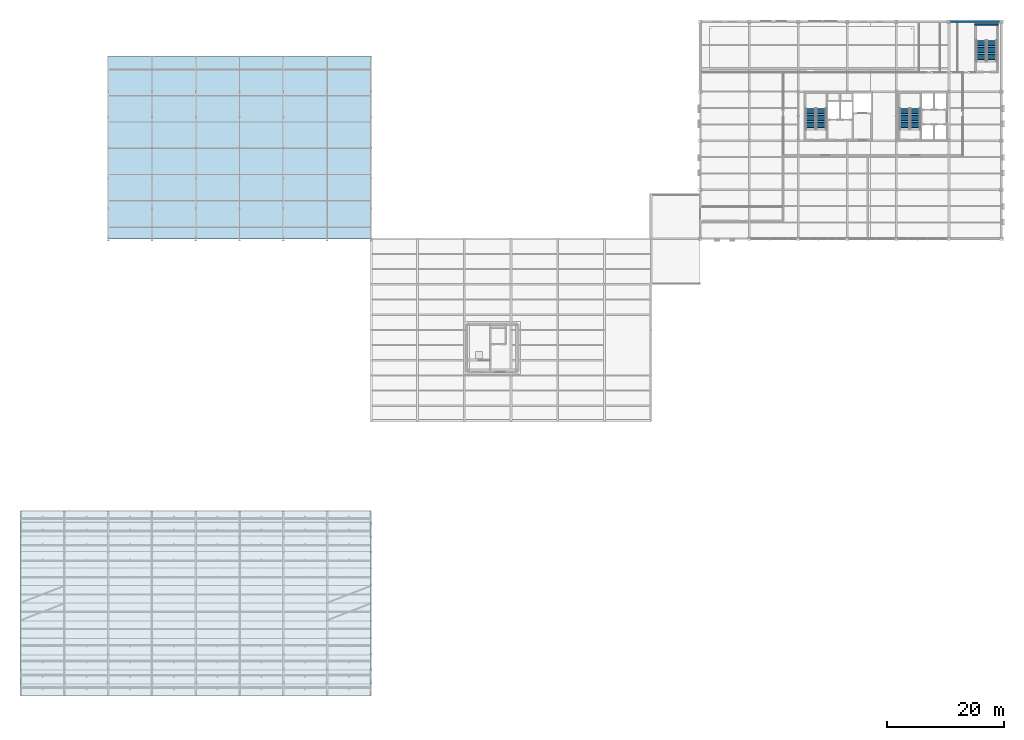
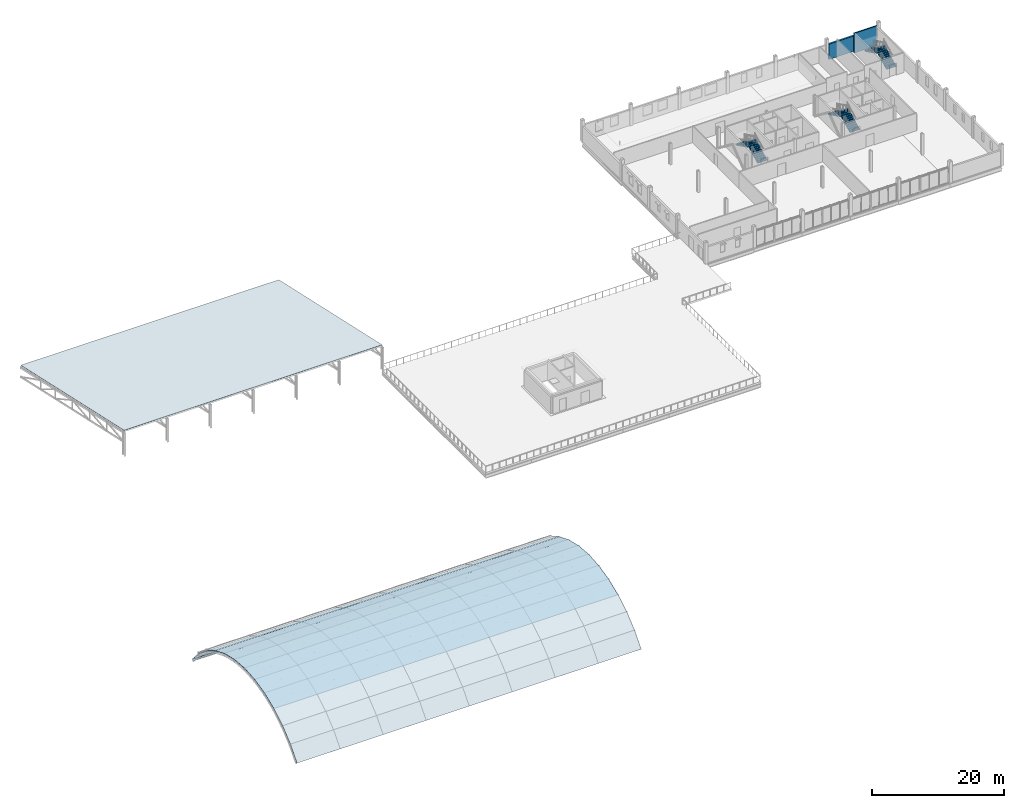
# One storey, part 65 of 77: 6 stair flights, 2 roofs, 2 walls, 3 elements without a shape of their own.
"""IFC4 building model written with IfcOpenShell, lengths in metres."""

from ifc_helpers import new_model, si_unit, direction, frame, frame_2d, origin, place, context, subcontext, project, spatial, polyline, rectangle, outline, extrude, material, layer, layer_set, type_object, element, aggregate, save


model = new_model("IFC4")

# Units and contexts
model_context = context("Model", 3, precision=1e-05, world=origin(), true_north=direction((0.0, 1.0)))
body_context = subcontext(model_context, "Body", "Model", "MODEL_VIEW")
ifc_project = project(units=[si_unit("LENGTHUNIT", "METRE"), si_unit("AREAUNIT", "SQUARE_METRE"), si_unit("VOLUMEUNIT", "CUBIC_METRE"), si_unit("PLANEANGLEUNIT", "RADIAN"), si_unit("MASSUNIT", "GRAM", prefix="KILO")], contexts=[model_context])

# Site, building, storey
site_placement = place(None, origin())
site = spatial("IfcSite", under=ifc_project, at=site_placement, CompositionType="ELEMENT")
building_placement = place(site_placement, origin())
building = spatial("IfcBuilding", under=site, at=building_placement, Name="Yukiwa Park Conservatory and Herbarium", CompositionType="ELEMENT")
storey_placement = place(building_placement, frame((0.0, 0.0, 13.199951171875)))
storey = spatial("IfcBuildingStorey", under=building, at=storey_placement, Name="L03", CompositionType="ELEMENT", Elevation=13.199951171875)

# Walls
ifc_material_1 = material(Name="Concrete C50", Category="concrete")
ifc_layer_1 = layer(ifc_material_1, 0.239990234375)
ifc_layer_set_1 = layer_set([ifc_layer_1], Name="Concrete C50")
wall_type_1 = type_object("IfcWallType", Name="WL-CORE-RC240", PredefinedType="SHEAR", material=ifc_layer_set_1)
wall_1_placement = place(storey_placement, frame((163.449951171875, 114.719970703125, 0.0), z_axis=(0.0, 0.0, 1.0), x_axis=(1.0, 0.0, 0.0)))
element("IfcWall", 1, at=wall_1_placement, inside=storey, type_object=wall_type_1, Name="L03 core shear wall 328", PredefinedType="SHEAR", context=body_context, shape_type="SweptSolid", body=[
    extrude(rectangle(XDim=3.989990234375, YDim=0.239990234375, at=frame_2d((1.9951171875, 0.0))), origin(), (0.0, 0.0, 1.0), 3.6201171875),
])
ifc_material_2 = material(Name="Pale Granite Cladding", Category="masonry")
ifc_layer_2 = layer(ifc_material_2, 0.300048828125)
ifc_layer_set_2 = layer_set([ifc_layer_2], Name="Pale Granite Cladding")
wall_type_2 = type_object("IfcWallType", Name="WL-EXT-GRAN-300", PredefinedType="SOLIDWALL", material=ifc_layer_set_2)
wall_2_placement = place(storey_placement, frame((167.72509765625, 115.199951171875, 0.0), z_axis=(0.0, 0.0, 1.0), x_axis=(-1.0, 0.0, 0.0)))
element("IfcWall", 2, at=wall_2_placement, inside=storey, type_object=wall_type_2, Name="L03 exterior envelope wall 247", PredefinedType="SOLIDWALL", context=body_context, shape_type="SweptSolid", body=[
    extrude(rectangle(XDim=8.4501953125, YDim=0.300048828125, at=frame_2d((4.22509765625, 0.0))), origin(), (0.0, 0.0, 1.0), 2.828125),
])

# Stair, stair flights
ifc_material_3 = material(Name="Concrete C40", Category="concrete")
stair_type_1 = type_object("IfcStairType", Name="ST-DOGLEG-ST-T1", PredefinedType="HALF_TURN_STAIR", material=ifc_material_3)
stair_1_placement = place(storey_placement, origin())
stair_1 = element("IfcStair", 3, at=stair_1_placement, inside=storey, type_object=stair_type_1, Name="L03 Protected Smoke-Proof Stair ST-T1", PredefinedType="HALF_TURN_STAIR")
ifc_material_4 = material(Name="Concrete C40", Category="concrete")
stair_flight_type = type_object("IfcStairFlightType", Name="STF-RC-1680", PredefinedType="STRAIGHT", material=ifc_material_4)
stair_flight_1_placement = place(storey_placement, frame((137.159912109375, 96.72998046875, 0.0), z_axis=(0.0, 0.0, 1.0), x_axis=(0.0, 1.0, 0.0)))
stair_flight_1 = element("IfcStairFlight", 4, at=stair_flight_1_placement, type_object=stair_flight_type, Name="ST-T1 flight 1", NumberOfRisers=13, NumberOfTreads=12, PredefinedType="STRAIGHT", RiserHeight=0.15, TreadLength=0.3, context=body_context, shape_type="SweptSolid", body=[
    extrude(outline(polyline([(0.0, 0.0), (0.0, 0.14990234375), (0.300048828125, 0.14990234375), (0.300048828125, 0.300048828125), (0.60009765625, 0.300048828125), (0.60009765625, 0.449951171875), (0.89990234375, 0.449951171875), (0.89990234375, 0.60009765625), (1.199951171875, 0.60009765625), (1.199951171875, 0.75), (1.5, 0.75), (1.5, 0.89990234375), (1.800048828125, 0.89990234375), (1.800048828125, 1.050048828125), (2.10009765625, 1.050048828125), (2.10009765625, 1.199951171875), (2.39990234375, 1.199951171875), (2.39990234375, 1.35009765625), (2.699951171875, 1.35009765625), (2.699951171875, 1.5), (3.0, 1.5), (3.0, 1.64990234375), (3.300048828125, 1.64990234375), (3.300048828125, 1.800048828125), (3.60009765625, 1.800048828125), (3.60009765625, 1.949951171875), (3.60009765625, 1.63232421875), (0.335205078125, 0.0), (0.0, 0.0)])), frame((0.0, 0.83984375, 0.0), z_axis=(0.0, -1.0, 0.0), x_axis=(1.0, 0.0, 0.0)), (0.0, 0.0, 1.0), 1.679931640625),
])
stair_flight_2_placement = place(storey_placement, frame((135.330078125, 100.330078125, 1.949951171875), z_axis=(0.0, 0.0, 1.0), x_axis=(0.0, -1.0, 0.0)))
stair_flight_2 = element("IfcStairFlight", 5, at=stair_flight_2_placement, type_object=stair_flight_type, Name="ST-T1 flight 2", NumberOfRisers=13, NumberOfTreads=12, PredefinedType="STRAIGHT", RiserHeight=0.15, TreadLength=0.3, context=body_context, shape_type="SweptSolid", body=[
    extrude(outline(polyline([(0.0, 0.0), (0.0, 0.14990234375), (0.300048828125, 0.14990234375), (0.300048828125, 0.300048828125), (0.60009765625, 0.300048828125), (0.60009765625, 0.449951171875), (0.89990234375, 0.449951171875), (0.89990234375, 0.60009765625), (1.199951171875, 0.60009765625), (1.199951171875, 0.75), (1.5, 0.75), (1.5, 0.89990234375), (1.800048828125, 0.89990234375), (1.800048828125, 1.050048828125), (2.10009765625, 1.050048828125), (2.10009765625, 1.199951171875), (2.39990234375, 1.199951171875), (2.39990234375, 1.35009765625), (2.699951171875, 1.35009765625), (2.699951171875, 1.5), (3.0, 1.5), (3.0, 1.64990234375), (3.300048828125, 1.64990234375), (3.300048828125, 1.800048828125), (3.60009765625, 1.800048828125), (3.60009765625, 1.949951171875), (3.60009765625, 1.63232421875), (0.335205078125, 0.0), (0.0, 0.0)])), frame((0.0, 0.83984375, 0.0), z_axis=(0.0, -1.0, 0.0), x_axis=(1.0, 0.0, 0.0)), (0.0, 0.0, 1.0), 1.679931640625),
])
aggregate(stair_1, [stair_flight_1, stair_flight_2])

ifc_material_5 = material(Name="Concrete C40", Category="concrete")
stair_type_2 = type_object("IfcStairType", Name="ST-DOGLEG-ST-T2", PredefinedType="HALF_TURN_STAIR", material=ifc_material_5)
stair_2_placement = place(storey_placement, origin())
stair_2 = element("IfcStair", 6, at=stair_2_placement, inside=storey, type_object=stair_type_2, Name="L03 Protected Smoke-Proof Stair ST-T2", PredefinedType="HALF_TURN_STAIR")
stair_flight_3_placement = place(storey_placement, frame((153.27001953125, 96.72998046875, 0.0), z_axis=(0.0, 0.0, 1.0), x_axis=(0.0, 1.0, 0.0)))
stair_flight_3 = element("IfcStairFlight", 7, at=stair_flight_3_placement, type_object=stair_flight_type, Name="ST-T2 flight 1", NumberOfRisers=13, NumberOfTreads=12, PredefinedType="STRAIGHT", RiserHeight=0.15, TreadLength=0.3, context=body_context, shape_type="SweptSolid", body=[
    extrude(outline(polyline([(0.0, 0.0), (0.0, 0.14990234375), (0.300048828125, 0.14990234375), (0.300048828125, 0.300048828125), (0.60009765625, 0.300048828125), (0.60009765625, 0.449951171875), (0.89990234375, 0.449951171875), (0.89990234375, 0.60009765625), (1.199951171875, 0.60009765625), (1.199951171875, 0.75), (1.5, 0.75), (1.5, 0.89990234375), (1.800048828125, 0.89990234375), (1.800048828125, 1.050048828125), (2.10009765625, 1.050048828125), (2.10009765625, 1.199951171875), (2.39990234375, 1.199951171875), (2.39990234375, 1.35009765625), (2.699951171875, 1.35009765625), (2.699951171875, 1.5), (3.0, 1.5), (3.0, 1.64990234375), (3.300048828125, 1.64990234375), (3.300048828125, 1.800048828125), (3.60009765625, 1.800048828125), (3.60009765625, 1.949951171875), (3.60009765625, 1.63232421875), (0.335205078125, 0.0), (0.0, 0.0)])), frame((0.0, 0.83984375, 0.0), z_axis=(0.0, -1.0, 0.0), x_axis=(1.0, 0.0, 0.0)), (0.0, 0.0, 1.0), 1.679931640625),
])
stair_flight_4_placement = place(storey_placement, frame((151.43994140625, 100.330078125, 1.949951171875), z_axis=(0.0, 0.0, 1.0), x_axis=(0.0, -1.0, 0.0)))
stair_flight_4 = element("IfcStairFlight", 8, at=stair_flight_4_placement, type_object=stair_flight_type, Name="ST-T2 flight 2", NumberOfRisers=13, NumberOfTreads=12, PredefinedType="STRAIGHT", RiserHeight=0.15, TreadLength=0.3, context=body_context, shape_type="SweptSolid", body=[
    extrude(outline(polyline([(0.0, 0.0), (0.0, 0.14990234375), (0.300048828125, 0.14990234375), (0.300048828125, 0.300048828125), (0.60009765625, 0.300048828125), (0.60009765625, 0.449951171875), (0.89990234375, 0.449951171875), (0.89990234375, 0.60009765625), (1.199951171875, 0.60009765625), (1.199951171875, 0.75), (1.5, 0.75), (1.5, 0.89990234375), (1.800048828125, 0.89990234375), (1.800048828125, 1.050048828125), (2.10009765625, 1.050048828125), (2.10009765625, 1.199951171875), (2.39990234375, 1.199951171875), (2.39990234375, 1.35009765625), (2.699951171875, 1.35009765625), (2.699951171875, 1.5), (3.0, 1.5), (3.0, 1.64990234375), (3.300048828125, 1.64990234375), (3.300048828125, 1.800048828125), (3.60009765625, 1.800048828125), (3.60009765625, 1.949951171875), (3.60009765625, 1.63232421875), (0.335205078125, 0.0), (0.0, 0.0)])), frame((0.0, 0.83984375, 0.0), z_axis=(0.0, -1.0, 0.0), x_axis=(1.0, 0.0, 0.0)), (0.0, 0.0, 1.0), 1.679931640625),
])
aggregate(stair_2, [stair_flight_3, stair_flight_4])

ifc_material_6 = material(Name="Concrete C40", Category="concrete")
stair_type_3 = type_object("IfcStairType", Name="ST-DOGLEG-ST-T3", PredefinedType="HALF_TURN_STAIR", material=ifc_material_6)
stair_3_placement = place(storey_placement, origin())
stair_3 = element("IfcStair", 9, at=stair_3_placement, inside=storey, type_object=stair_type_3, Name="L03 Protected Smoke-Proof Stair ST-T3", PredefinedType="HALF_TURN_STAIR")
stair_flight_5_placement = place(storey_placement, frame((166.360107421875, 108.3798828125, 0.0), z_axis=(0.0, 0.0, 1.0), x_axis=(0.0, 1.0, 0.0)))
stair_flight_5 = element("IfcStairFlight", 10, at=stair_flight_5_placement, type_object=stair_flight_type, Name="ST-T3 flight 1", NumberOfRisers=13, NumberOfTreads=12, PredefinedType="STRAIGHT", RiserHeight=0.15, TreadLength=0.3, context=body_context, shape_type="SweptSolid", body=[
    extrude(outline(polyline([(0.0, 0.0), (0.0, 0.14990234375), (0.300048828125, 0.14990234375), (0.300048828125, 0.300048828125), (0.60009765625, 0.300048828125), (0.60009765625, 0.449951171875), (0.89990234375, 0.449951171875), (0.89990234375, 0.60009765625), (1.199951171875, 0.60009765625), (1.199951171875, 0.75), (1.5, 0.75), (1.5, 0.89990234375), (1.800048828125, 0.89990234375), (1.800048828125, 1.050048828125), (2.10009765625, 1.050048828125), (2.10009765625, 1.199951171875), (2.39990234375, 1.199951171875), (2.39990234375, 1.35009765625), (2.699951171875, 1.35009765625), (2.699951171875, 1.5), (3.0, 1.5), (3.0, 1.64990234375), (3.300048828125, 1.64990234375), (3.300048828125, 1.800048828125), (3.60009765625, 1.800048828125), (3.60009765625, 1.949951171875), (3.60009765625, 1.63232421875), (0.335205078125, 0.0), (0.0, 0.0)])), frame((0.0, 0.83984375, 0.0), z_axis=(0.0, -1.0, 0.0), x_axis=(1.0, 0.0, 0.0)), (0.0, 0.0, 1.0), 1.679931640625),
])
stair_flight_6_placement = place(storey_placement, frame((164.530029296875, 111.97998046875, 1.949951171875), z_axis=(0.0, 0.0, 1.0), x_axis=(0.0, -1.0, 0.0)))
stair_flight_6 = element("IfcStairFlight", 11, at=stair_flight_6_placement, type_object=stair_flight_type, Name="ST-T3 flight 2", NumberOfRisers=13, NumberOfTreads=12, PredefinedType="STRAIGHT", RiserHeight=0.15, TreadLength=0.3, context=body_context, shape_type="SweptSolid", body=[
    extrude(outline(polyline([(0.0, 0.0), (0.0, 0.14990234375), (0.300048828125, 0.14990234375), (0.300048828125, 0.300048828125), (0.60009765625, 0.300048828125), (0.60009765625, 0.449951171875), (0.89990234375, 0.449951171875), (0.89990234375, 0.60009765625), (1.199951171875, 0.60009765625), (1.199951171875, 0.75), (1.5, 0.75), (1.5, 0.89990234375), (1.800048828125, 0.89990234375), (1.800048828125, 1.050048828125), (2.10009765625, 1.050048828125), (2.10009765625, 1.199951171875), (2.39990234375, 1.199951171875), (2.39990234375, 1.35009765625), (2.699951171875, 1.35009765625), (2.699951171875, 1.5), (3.0, 1.5), (3.0, 1.64990234375), (3.300048828125, 1.64990234375), (3.300048828125, 1.800048828125), (3.60009765625, 1.800048828125), (3.60009765625, 1.949951171875), (3.60009765625, 1.63232421875), (0.335205078125, 0.0), (0.0, 0.0)])), frame((0.0, 0.83984375, 0.0), z_axis=(0.0, -1.0, 0.0), x_axis=(1.0, 0.0, 0.0)), (0.0, 0.0, 1.0), 1.679931640625),
])
aggregate(stair_3, [stair_flight_5, stair_flight_6])

# Roofs
ifc_material_7 = material(Name="Laminated Tempered Safety Glass", Category="glass")
roof_type_1 = type_object("IfcRoofType", Name="RF-CONSERVATORY-BARREL-VAULT", PredefinedType="BARREL_ROOF", material=ifc_material_7)
roof_1_placement = place(storey_placement, frame((0.0, 15.60009765625, -4.199951171875), z_axis=(1.0, 0.0, 0.0), x_axis=(0.0, 1.0, 0.0)))
element("IfcRoof", 12, at=roof_1_placement, inside=storey, type_object=roof_type_1, Name="Conservatory Barrel Vault Roof", PredefinedType="BARREL_ROOF", context=body_context, shape_type="SweptSolid", body=[
    extrude(outline(polyline([(-15.60009765625, 0.0), (-15.7958984375, 0.14697265625), (-13.7841796875, 2.437255859375), (-11.443603515625, 4.390625), (-8.830322265625, 5.96044921875), (-6.00634765625, 7.109130859375), (-3.03955078125, 7.8095703125), (0.0, 8.044921875), (3.03955078125, 7.8095703125), (6.00634765625, 7.109130859375), (8.830322265625, 5.96044921875), (11.443603515625, 4.390625), (13.7841796875, 2.437255859375), (15.7958984375, 0.14697265625), (15.60009765625, 0.0), (15.56005859375, 0.0), (15.77587890625, 0.132080078125), (13.7666015625, 2.41943359375), (11.428955078125, 4.370361328125), (8.819091796875, 5.93798828125), (5.998779296875, 7.08544921875), (3.03564453125, 7.784912109375), (0.0, 8.02001953125), (-3.03564453125, 7.784912109375), (-5.998779296875, 7.08544921875), (-8.819091796875, 5.93798828125), (-11.428955078125, 4.370361328125), (-13.7666015625, 2.41943359375), (-15.77587890625, 0.132080078125), (-15.56005859375, 0.0), (-15.60009765625, 0.0)])), origin(), (0.0, 0.0, 1.0), 60.0),
])
ifc_material_8 = material(Name="Anodised Aluminium", Category="aluminium")
roof_type_2 = type_object("IfcRoofType", Name="RF-MONO-PITCH-SNOW", PredefinedType="SHED_ROOF", material=ifc_material_8)
roof_2_placement = place(storey_placement, frame((15.0, 78.0, 4.635009765625), z_axis=(0.0, 0.216443477494, 0.976295150582), x_axis=(1.0, 0.0, 0.0)))
element("IfcRoof", 13, at=roof_2_placement, inside=storey, type_object=roof_type_2, Name="Auditorium Wing snow-shedding mono-pitch roof", PredefinedType="SHED_ROOF", context=body_context, shape_type="SweptSolid", body=[
    extrude(outline(polyline([(0.0, 0.0), (45.0, 0.0), (45.0, 31.957498870364056), (0.0, 31.957498870364056), (0.0, 0.0)])), origin(), (0.0, 0.0, -1.0), 0.02001953125),
])

save(model, "model.ifc")
